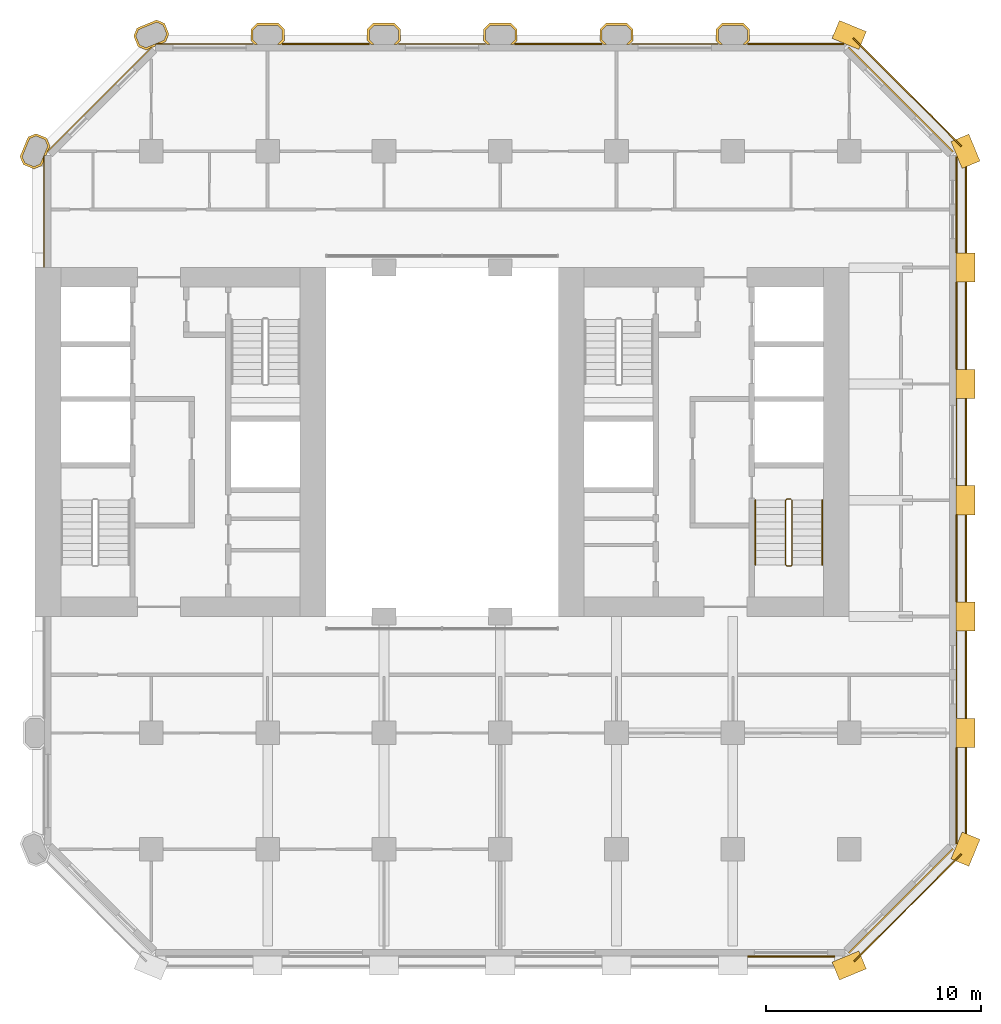
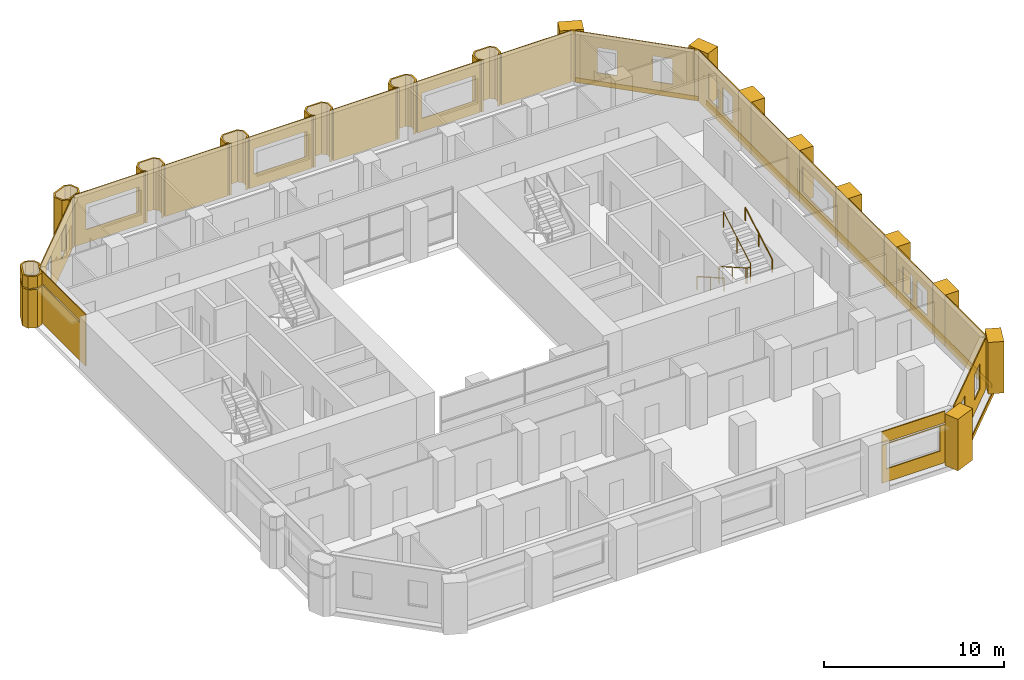
# One storey, part 13 of 13: 38 coverings, 3 railings.
"""IFC4 building model written with IfcOpenShell, lengths in metres."""

from ifc_helpers import new_model, si_unit, direction, frame, frame_2d, origin, origin_2d, place, context, subcontext, project, spatial, polyline, rectangle, circle, outline, extrude, material, layer, layer_set, type_object, element, save


model = new_model("IFC4")

# Units and contexts
model_context = context("Model", 3, precision=1e-05, world=origin(), true_north=direction((0.0, 1.0)))
body_context = subcontext(model_context, "Body", "Model", "MODEL_VIEW")
ifc_project = project(units=[si_unit("LENGTHUNIT", "METRE"), si_unit("AREAUNIT", "SQUARE_METRE"), si_unit("VOLUMEUNIT", "CUBIC_METRE"), si_unit("PLANEANGLEUNIT", "RADIAN"), si_unit("MASSUNIT", "GRAM", prefix="KILO")], contexts=[model_context])

# Site, building, storey
site_placement = place(None, origin())
site = spatial("IfcSite", under=ifc_project, at=site_placement, CompositionType="ELEMENT")
building_placement = place(site_placement, origin())
building = spatial("IfcBuilding", under=site, at=building_placement, Name="Tabaq Tower and Sports Hall", CompositionType="ELEMENT")
storey_placement = place(building_placement, frame((0.0, 0.0, 45.0)))
storey = spatial("IfcBuildingStorey", under=building, at=storey_placement, Name="L09", CompositionType="ELEMENT", Elevation=45.0)

# Coverings
ifc_material_1 = material(Name="Precast concrete C60/75", Category="concrete")
ifc_layer_1 = layer(ifc_material_1, 0.10009765625)
ifc_layer_set_1 = layer_set([ifc_layer_1], Name="Column cladding 100")
covering_type_1 = type_object("IfcCoveringType", Name="Column cladding 100", PredefinedType="CLADDING", material=ifc_layer_set_1)
covering_1_placement = place(storey_placement, origin())
element("IfcCovering", 1, at=covering_1_placement, inside=storey, type_object=covering_type_1, Name="Column cladding L09 PC-2H-O1", PredefinedType="CLADDING", context=body_context, shape_type="SweptSolid", body=[
    extrude(outline(polyline([(4.857421875, 37.186279296875), (4.7041015625, 37.556396484375), (5.080078125, 38.46435546875), (5.450439453125, 38.61767578125), (5.9423828125, 38.413818359375), (6.095947265625, 38.04345703125), (6.026123046875, 37.875), (5.9501953125, 37.799072265625), (5.9814453125, 37.767578125), (5.91796875, 37.614013671875), (5.849609375, 37.614013671875), (5.849609375, 37.55712890625), (5.789794921875, 37.55712890625), (5.789794921875, 37.304443359375), (5.7197265625, 37.1357421875), (5.349609375, 36.982421875), (4.857421875, 37.186279296875)]), holes=[polyline([(5.866455078125, 38.337646484375), (5.450439453125, 38.510009765625), (5.15625, 38.38818359375), (4.811767578125, 37.556396484375), (4.93359375, 37.26220703125), (5.349609375, 37.08984375), (5.643798828125, 37.2119140625), (5.98828125, 38.04345703125), (5.866455078125, 38.337646484375)])]), origin(), (0.0, 0.0, 1.0), 2.60009765625),
])
covering_2_placement = place(storey_placement, frame((0.0, 0.0, 2.699951171875)))
element("IfcCovering", 2, at=covering_2_placement, inside=storey, type_object=covering_type_1, Name="Column cladding L09 PC-2H-O1 2", PredefinedType="CLADDING", context=body_context, shape_type="SweptSolid", body=[
    extrude(outline(polyline([(4.857421875, 37.186279296875), (4.7041015625, 37.556396484375), (5.080078125, 38.46435546875), (5.450439453125, 38.61767578125), (5.9423828125, 38.413818359375), (6.095947265625, 38.04345703125), (6.026123046875, 37.875), (5.9501953125, 37.799072265625), (5.9814453125, 37.767578125), (5.91796875, 37.614013671875), (5.849609375, 37.614013671875), (5.849609375, 37.55712890625), (5.789794921875, 37.55712890625), (5.789794921875, 37.304443359375), (5.7197265625, 37.1357421875), (5.349609375, 36.982421875), (4.857421875, 37.186279296875)]), holes=[polyline([(5.866455078125, 38.337646484375), (5.450439453125, 38.510009765625), (5.15625, 38.38818359375), (4.811767578125, 37.556396484375), (4.93359375, 37.26220703125), (5.349609375, 37.08984375), (5.643798828125, 37.2119140625), (5.98828125, 38.04345703125), (5.866455078125, 38.337646484375)])]), origin(), (0.0, 0.0, 1.0), 0.800048828125),
])
covering_3_placement = place(storey_placement, origin())
element("IfcCovering", 3, at=covering_3_placement, inside=storey, type_object=covering_type_1, Name="Column cladding L09 PC-3I-O1", PredefinedType="CLADDING", context=body_context, shape_type="SweptSolid", body=[
    extrude(outline(polyline([(9.982421875, 43.149658203125), (10.1357421875, 43.519775390625), (11.04345703125, 43.895751953125), (11.413818359375, 43.742431640625), (11.61767578125, 43.25048828125), (11.46435546875, 42.880126953125), (11.295654296875, 42.810302734375), (11.04296875, 42.810302734375), (11.04296875, 42.750244140625), (10.986083984375, 42.750244140625), (10.986083984375, 42.68212890625), (10.83251953125, 42.618408203125), (10.801025390625, 42.64990234375), (10.72509765625, 42.573974609375), (10.556396484375, 42.504150390625), (10.186279296875, 42.657470703125), (9.982421875, 43.149658203125)]), holes=[polyline([(11.510009765625, 43.25048828125), (11.337646484375, 43.66650390625), (11.04345703125, 43.788330078125), (10.2119140625, 43.44384765625), (10.08984375, 43.149658203125), (10.26220703125, 42.733642578125), (10.556396484375, 42.61181640625), (11.38818359375, 42.956298828125), (11.510009765625, 43.25048828125)])]), origin(), (0.0, 0.0, 1.0), 3.5),
])
covering_4_placement = place(storey_placement, origin())
element("IfcCovering", 4, at=covering_4_placement, inside=storey, type_object=covering_type_1, Name="Column cladding L09 PC-4I-O1", PredefinedType="CLADDING", context=body_context, shape_type="SweptSolid", body=[
    extrude(outline(polyline([(15.42529296875, 43.46630859375), (15.708740234375, 43.749755859375), (16.69140625, 43.749755859375), (16.974609375, 43.46630859375), (16.974609375, 42.93359375), (16.791259765625, 42.750244140625), (16.650634765625, 42.750244140625), (16.875244140625, 42.974853515625), (16.875244140625, 43.425048828125), (16.650146484375, 43.650390625), (15.749755859375, 43.650390625), (15.524658203125, 43.425048828125), (15.524658203125, 42.974853515625), (15.749267578125, 42.750244140625), (15.608642578125, 42.750244140625), (15.42529296875, 42.93359375), (15.42529296875, 43.46630859375)])), origin(), (0.0, 0.0, 1.0), 3.5),
])
covering_5_placement = place(storey_placement, origin())
element("IfcCovering", 5, at=covering_5_placement, inside=storey, type_object=covering_type_1, Name="Column cladding L09 PC-5I-O1", PredefinedType="CLADDING", context=body_context, shape_type="SweptSolid", body=[
    extrude(outline(polyline([(20.8251953125, 43.46630859375), (21.108642578125, 43.749755859375), (22.09130859375, 43.749755859375), (22.374755859375, 43.46630859375), (22.374755859375, 42.93359375), (22.19140625, 42.750244140625), (22.05078125, 42.750244140625), (22.275390625, 42.974853515625), (22.275390625, 43.425048828125), (22.050048828125, 43.650390625), (21.14990234375, 43.650390625), (20.9248046875, 43.425048828125), (20.9248046875, 42.974853515625), (21.149169921875, 42.750244140625), (21.0087890625, 42.750244140625), (20.8251953125, 42.93359375), (20.8251953125, 43.46630859375)])), origin(), (0.0, 0.0, 1.0), 3.5),
])
covering_6_placement = place(storey_placement, origin())
element("IfcCovering", 6, at=covering_6_placement, inside=storey, type_object=covering_type_1, Name="Column cladding L09 PC-6I-O1", PredefinedType="CLADDING", context=body_context, shape_type="SweptSolid", body=[
    extrude(outline(polyline([(26.225341796875, 43.46630859375), (26.5087890625, 43.749755859375), (27.4912109375, 43.749755859375), (27.774658203125, 43.46630859375), (27.774658203125, 42.93359375), (27.59130859375, 42.750244140625), (27.45068359375, 42.750244140625), (27.67529296875, 42.974853515625), (27.67529296875, 43.425048828125), (27.4501953125, 43.650390625), (26.5498046875, 43.650390625), (26.32470703125, 43.425048828125), (26.32470703125, 42.974853515625), (26.54931640625, 42.750244140625), (26.40869140625, 42.750244140625), (26.225341796875, 42.93359375), (26.225341796875, 43.46630859375)])), origin(), (0.0, 0.0, 1.0), 3.5),
])
covering_7_placement = place(storey_placement, origin())
element("IfcCovering", 7, at=covering_7_placement, inside=storey, type_object=covering_type_1, Name="Column cladding L09 PC-7I-O1", PredefinedType="CLADDING", context=body_context, shape_type="SweptSolid", body=[
    extrude(outline(polyline([(31.625244140625, 43.46630859375), (31.90869140625, 43.749755859375), (32.891357421875, 43.749755859375), (33.1748046875, 43.46630859375), (33.1748046875, 42.93359375), (32.9912109375, 42.750244140625), (32.850830078125, 42.750244140625), (33.0751953125, 42.974853515625), (33.0751953125, 43.425048828125), (32.85009765625, 43.650390625), (31.949951171875, 43.650390625), (31.724609375, 43.425048828125), (31.724609375, 42.974853515625), (31.94921875, 42.750244140625), (31.80859375, 42.750244140625), (31.625244140625, 42.93359375), (31.625244140625, 43.46630859375)])), origin(), (0.0, 0.0, 1.0), 3.5),
])
covering_8_placement = place(storey_placement, origin())
element("IfcCovering", 8, at=covering_8_placement, inside=storey, type_object=covering_type_1, Name="Column cladding L09 PC-8I-O1", PredefinedType="CLADDING", context=body_context, shape_type="SweptSolid", body=[
    extrude(outline(polyline([(37.025390625, 43.46630859375), (37.30859375, 43.749755859375), (38.291259765625, 43.749755859375), (38.57470703125, 43.46630859375), (38.57470703125, 42.93359375), (38.391357421875, 42.750244140625), (38.250732421875, 42.750244140625), (38.475341796875, 42.974853515625), (38.475341796875, 43.425048828125), (38.250244140625, 43.650390625), (37.349853515625, 43.650390625), (37.124755859375, 43.425048828125), (37.124755859375, 42.974853515625), (37.349365234375, 42.750244140625), (37.208740234375, 42.750244140625), (37.025390625, 42.93359375), (37.025390625, 43.46630859375)])), origin(), (0.0, 0.0, 1.0), 3.5),
])
ifc_material_2 = material(Name="Precast concrete C60/75", Category="concrete")
ifc_layer_2 = layer(ifc_material_2, 0.06005859375)
ifc_layer_set_2 = layer_set([ifc_layer_2], Name="Edge beam cladding 60")
covering_type_2 = type_object("IfcCoveringType", Name="Edge beam cladding 60", PredefinedType="CLADDING", material=ifc_layer_set_2)
covering_9_placement = place(storey_placement, frame((43.432373046875, 0.18994140625, -0.300048828125), z_axis=(0.0, 0.0, 1.0), x_axis=(0.707106781187, 0.707106781187, 0.0)))
element("IfcCovering", 9, at=covering_9_placement, inside=storey, type_object=covering_type_2, Name="Edge beam cladding L09 2", PredefinedType="CLADDING", context=body_context, shape_type="SweptSolid", body=[
    extrude(rectangle(XDim=7.03955078125, YDim=0.06005859375, at=frame_2d((3.519775390625, 0.0))), origin(), (0.0, 0.0, 1.0), 0.300048828125),
])
covering_10_placement = place(storey_placement, frame((48.6298828125, 5.698486328125, -0.300048828125), z_axis=(0.0, 0.0, 1.0), x_axis=(0.0, 1.0, 0.0)))
element("IfcCovering", 10, at=covering_10_placement, inside=storey, type_object=covering_type_2, Name="Edge beam cladding L09 3", PredefinedType="CLADDING", context=body_context, shape_type="SweptSolid", body=[
    extrude(rectangle(XDim=31.802978515625, YDim=0.06005859375, at=frame_2d((15.9013671875, 0.0))), origin(), (0.0, 0.0, 1.0), 0.300048828125),
])
covering_11_placement = place(storey_placement, frame((48.41015625, 38.0322265625, -0.300048828125), z_axis=(0.0, 0.0, 1.0), x_axis=(-0.707106781187, 0.707106781187, 0.0)))
element("IfcCovering", 11, at=covering_11_placement, inside=storey, type_object=covering_type_2, Name="Edge beam cladding L09 4", PredefinedType="CLADDING", context=body_context, shape_type="SweptSolid", body=[
    extrude(rectangle(XDim=7.08837890625, YDim=0.06005859375, at=frame_2d((3.544189453125, 0.0))), origin(), (0.0, 0.0, 1.0), 0.300048828125),
])
ifc_material_3 = material(Name="White precast concrete C60/75", Category="concrete")
covering_type_3 = type_object("IfcCoveringType", Name="Pier cladding hung 1350x900", PredefinedType="CLADDING", material=ifc_material_3)
for number, where, z_axis, x_axis, name in (
    (12, (42.576416015625, -0.25830078125, 0.0), (0.0, 0.0, 1.0), (0.923893411637, 0.382649923473, 0.0), "Hung pier cladding 8/0"),
    (13, (43.82373046875, 42.941650390625, 0.0), (0.0, 0.0, 1.0), (-0.923893411637, 0.382649923473, 0.0), "Hung pier cladding 8/8"),
    (14, (48.341796875, 4.7763671875, 0.0), (0.0, 0.0, 1.0), (0.382649923473, 0.923893411637, 0.0), "Hung pier cladding 9/1"),
    (15, (48.60009765625, 10.125, 0.0), (0.0, 0.0, 1.0), (0.0, 1.0, 0.0), "Hung pier cladding 9/2"),
    (16, (48.60009765625, 15.52490234375, 0.0), (0.0, 0.0, 1.0), (0.0, 1.0, 0.0), "Hung pier cladding 9/3"),
):
    element("IfcCovering", number, at=place(storey_placement, frame(where, z_axis=z_axis, x_axis=x_axis)), inside=storey, type_object=covering_type_3, Name=name, PredefinedType="CLADDING", context=body_context, shape_type="SweptSolid", body=[
        extrude(rectangle(XDim=1.35009765625, YDim=0.89990234375, at=frame_2d((0.675048828125, 0.0))), origin(), (0.0, 0.0, 1.0), 3.5),
    ])
covering_12_placement = place(storey_placement, frame((48.60009765625, 20.925048828125, 0.0), z_axis=(0.0, 0.0, 1.0), x_axis=(0.0, 1.0, 0.0)))
element("IfcCovering", 17, at=covering_12_placement, inside=storey, type_object=covering_type_3, Name="Hung pier cladding 9/4", PredefinedType="CLADDING", context=body_context, shape_type="SweptSolid", body=[
    extrude(rectangle(XDim=1.349853515625, YDim=0.89990234375, at=frame_2d((0.6748046875, 0.0))), origin(), (0.0, 0.0, 1.0), 3.5),
])
covering_13_placement = place(storey_placement, frame((48.60009765625, 26.324951171875, 0.0), z_axis=(0.0, 0.0, 1.0), x_axis=(0.0, 1.0, 0.0)))
element("IfcCovering", 18, at=covering_13_placement, inside=storey, type_object=covering_type_3, Name="Hung pier cladding 9/5", PredefinedType="CLADDING", context=body_context, shape_type="SweptSolid", body=[
    extrude(rectangle(XDim=1.35009765625, YDim=0.89990234375, at=frame_2d((0.675048828125, 0.0))), origin(), (0.0, 0.0, 1.0), 3.5),
])
covering_14_placement = place(storey_placement, frame((48.60009765625, 31.72509765625, 0.0), z_axis=(0.0, 0.0, 1.0), x_axis=(0.0, 1.0, 0.0)))
element("IfcCovering", 19, at=covering_14_placement, inside=storey, type_object=covering_type_3, Name="Hung pier cladding 9/6", PredefinedType="CLADDING", context=body_context, shape_type="SweptSolid", body=[
    extrude(rectangle(XDim=1.349853515625, YDim=0.89990234375, at=frame_2d((0.6748046875, 0.0))), origin(), (0.0, 0.0, 1.0), 3.5),
])
covering_15_placement = place(storey_placement, frame((48.8583984375, 37.17626953125, 0.0), z_axis=(0.0, 0.0, 1.0), x_axis=(-0.382649923473, 0.923893411637, 0.0)))
element("IfcCovering", 20, at=covering_15_placement, inside=storey, type_object=covering_type_3, Name="Hung pier cladding 9/7", PredefinedType="CLADDING", context=body_context, shape_type="SweptSolid", body=[
    extrude(rectangle(XDim=1.35009765625, YDim=0.89990234375, at=frame_2d((0.675048828125, 0.0))), origin(), (0.0, 0.0, 1.0), 3.5),
])

# Railings
ifc_material_4 = material(Name="Stainless steel", Category="steel")
railing_type_1 = type_object("IfcRailingType", Name="Stair guard", PredefinedType="GUARDRAIL", material=ifc_material_4)
railing_1_placement = place(storey_placement, frame((40.5, 21.64990234375, 0.0)))
element("IfcRailing", 21, at=railing_1_placement, inside=storey, type_object=railing_type_1, Name="L09 ST3 stair guard 1", PredefinedType="GUARDRAIL", context=body_context, shape_type="SweptSolid", body=[
    extrude(circle(Radius=0.02392578125, at=origin_2d()), frame((0.0, 0.0, 1.076171875), z_axis=(-1.0, 0.0, 0.0), x_axis=(0.0, -1.0, 0.0)), (0.0, 0.0, 1.0), 0.199951171875),
    extrude(circle(Radius=0.02392578125, at=origin_2d()), frame((-0.199951171875, 0.0, 1.076171875), z_axis=(-0.246983470365, -0.245778672949, 0.937332389972), x_axis=(0.705375805398, -0.708833529934, 0.0)), (0.0, 0.0, 1.0), 0.20263671875),
    extrude(circle(Radius=0.02392578125, at=origin_2d()), frame((-0.25, -0.0498046875, 1.26611328125), z_axis=(0.0, -0.868782136927, 0.495194505781), x_axis=(1.0, 0.0, 0.0)), (0.0, 0.0, 1.0), 3.453125),
    extrude(circle(Radius=0.02392578125, at=origin_2d()), frame((-0.25, -3.0498046875, 2.97607421875), z_axis=(0.707106781187, -0.707106781187, 0.0), x_axis=(0.707106781187, 0.707106781187, 0.0)), (0.0, 0.0, 1.0), 0.07080078125),
    extrude(circle(Radius=0.02392578125, at=origin_2d()), frame((-0.199951171875, -3.099853515625, 2.97607421875), z_axis=(1.0, 0.0, 0.0), x_axis=(0.0, 1.0, 0.0)), (0.0, 0.0, 1.0), 0.199951171875),
    extrude(circle(Radius=0.02392578125, at=origin_2d()), frame((0.0, -3.099853515625, 2.97607421875), z_axis=(0.246631811833, 0.246631811833, 0.937200884967), x_axis=(-0.707106781187, 0.707106781187, 0.0)), (0.0, 0.0, 1.0), 0.202880859375),
    extrude(circle(Radius=0.02392578125, at=origin_2d()), frame((0.050048828125, -3.0498046875, 3.166015625), z_axis=(0.0, 0.868782136927, 0.495194505781), x_axis=(-1.0, 0.0, 0.0)), (0.0, 0.0, 1.0), 3.453125),
    extrude(circle(Radius=0.02099609375, at=origin_2d()), origin(), (0.0, 0.0, 1.0), 1.052001953125),
    extrude(circle(Radius=0.02099609375, at=origin_2d()), frame((-0.199951171875, 0.0, 0.0)), (0.0, 0.0, 1.0), 1.052001953125),
    extrude(circle(Radius=0.02099609375, at=origin_2d()), frame((-0.25, -0.0498046875, 0.18994140625)), (0.0, 0.0, 1.0), 1.052001953125),
    extrude(circle(Radius=0.02099609375, at=origin_2d()), frame((-0.25, -1.5498046875, 1.044921875)), (0.0, 0.0, 1.0), 1.052001953125),
    extrude(circle(Radius=0.02099609375, at=origin_2d()), frame((-0.25, -3.0498046875, 1.89990234375)), (0.0, 0.0, 1.0), 1.052001953125),
    extrude(circle(Radius=0.02099609375, at=origin_2d()), frame((-0.199951171875, -3.099853515625, 1.89990234375)), (0.0, 0.0, 1.0), 1.052001953125),
    extrude(circle(Radius=0.02099609375, at=origin_2d()), frame((0.0, -3.099853515625, 1.89990234375)), (0.0, 0.0, 1.0), 1.052001953125),
    extrude(circle(Radius=0.02099609375, at=origin_2d()), frame((0.050048828125, -3.0498046875, 2.090087890625)), (0.0, 0.0, 1.0), 1.052001953125),
    extrude(circle(Radius=0.02099609375, at=origin_2d()), frame((0.050048828125, -1.5498046875, 2.945068359375)), (0.0, 0.0, 1.0), 1.052001953125),
    extrude(circle(Radius=0.02099609375, at=origin_2d()), frame((0.050048828125, -0.0498046875, 3.800048828125)), (0.0, 0.0, 1.0), 1.052001953125),
])
ifc_material_5 = material(Name="Stainless steel", Category="steel")
railing_type_2 = type_object("IfcRailingType", Name="Stair handrail", PredefinedType="HANDRAIL", material=ifc_material_5)
railing_2_placement = place(storey_placement, frame((38.85009765625, 21.60009765625, 0.18994140625)))
element("IfcRailing", 22, at=railing_2_placement, inside=storey, type_object=railing_type_2, Name="L09 ST3 stair handrail 1", PredefinedType="HANDRAIL", context=body_context, shape_type="SweptSolid", body=[
    extrude(circle(Radius=0.02392578125, at=origin_2d()), frame((0.0, 0.0, 0.8759765625), z_axis=(0.0, -0.868782136927, 0.495194505781), x_axis=(1.0, 0.0, 0.0)), (0.0, 0.0, 1.0), 3.453125),
    extrude(circle(Radius=0.02099609375, at=origin_2d()), origin(), (0.0, 0.0, 1.0), 0.851806640625),
    extrude(circle(Radius=0.02099609375, at=origin_2d()), frame((0.0, -1.5, 0.85498046875)), (0.0, 0.0, 1.0), 0.851806640625),
    extrude(circle(Radius=0.02099609375, at=origin_2d()), frame((0.0, -3.0, 1.7099609375)), (0.0, 0.0, 1.0), 0.851806640625),
])
railing_3_placement = place(storey_placement, frame((41.949951171875, 18.60009765625, 2.090087890625)))
element("IfcRailing", 23, at=railing_3_placement, inside=storey, type_object=railing_type_2, Name="L09 ST3 stair handrail 2", PredefinedType="HANDRAIL", context=body_context, shape_type="SweptSolid", body=[
    extrude(circle(Radius=0.02392578125, at=origin_2d()), frame((0.0, 0.0, 0.8759765625), z_axis=(0.0, 0.868782136927, 0.495194505781), x_axis=(-1.0, 0.0, 0.0)), (0.0, 0.0, 1.0), 3.453125),
    extrude(circle(Radius=0.02099609375, at=origin_2d()), origin(), (0.0, 0.0, 1.0), 0.851806640625),
    extrude(circle(Radius=0.02099609375, at=origin_2d()), frame((0.0, 1.5, 0.85498046875)), (0.0, 0.0, 1.0), 0.851806640625),
    extrude(circle(Radius=0.02099609375, at=origin_2d()), frame((0.0, 3.0, 1.7099609375)), (0.0, 0.0, 1.0), 0.851806640625),
])

# Coverings
ifc_material_6 = material(Name="Precast concrete C60/75", Category="concrete")
ifc_layer_3 = layer(ifc_material_6, 0.06005859375)
ifc_layer_set_3 = layer_set([ifc_layer_3], Name="White precast cladding panel 60 C60/75")
covering_type_4 = type_object("IfcCoveringType", Name="White precast cladding panel 60 C60/75", PredefinedType="CLADDING", material=ifc_layer_set_3)
covering_16_placement = place(storey_placement, frame((38.485107421875, 0.419921875, 0.0), z_axis=(0.0, 0.0, 1.0), x_axis=(1.0, 0.0, 0.0)))
element("IfcCovering", 24, at=covering_16_placement, inside=storey, type_object=covering_type_4, Name="White precast cladding panel L09 wall00 11", PredefinedType="CLADDING", context=body_context, shape_type="SweptSolid", body=[
    extrude(outline(polyline([(0.0, 0.0), (4.0498046875, 0.0), (4.0498046875, 2.590087890625), (0.0, 2.590087890625), (0.0, 0.0)]), holes=[polyline([(3.72509765625, 0.889892578125), (0.304931640625, 0.889892578125), (0.304931640625, 2.56005859375), (3.72509765625, 2.56005859375), (3.72509765625, 0.889892578125)])]), frame((0.0, 0.030029296875, 0.0), z_axis=(0.0, -1.0, 0.0), x_axis=(1.0, 0.0, 0.0)), (0.0, 0.0, 1.0), 0.06005859375),
])
covering_17_placement = place(storey_placement, frame((38.485107421875, 0.419921875, 2.7099609375), z_axis=(0.0, 0.0, 1.0), x_axis=(1.0, 0.0, 0.0)))
element("IfcCovering", 25, at=covering_17_placement, inside=storey, type_object=covering_type_4, Name="White precast cladding panel L09 wall00 12", PredefinedType="CLADDING", context=body_context, shape_type="SweptSolid", body=[
    extrude(rectangle(XDim=4.0498046875, YDim=0.06005859375, at=frame_2d((2.02490234375, 0.0))), origin(), (0.0, 0.0, 1.0), 0.7900390625),
])
covering_18_placement = place(storey_placement, frame((43.177734375, 0.57177734375, 0.0), z_axis=(0.0, 0.0, 1.0), x_axis=(0.707106781187, 0.707106781187, 0.0)))
element("IfcCovering", 26, at=covering_18_placement, inside=storey, type_object=covering_type_4, Name="White precast cladding panel L09 wall01", PredefinedType="CLADDING", context=body_context, shape_type="SweptSolid", body=[
    extrude(outline(polyline([(0.0, 0.0), (6.85986328125, 0.0), (6.85986328125, 3.5), (0.0, 3.5), (0.0, 0.0)]), holes=[polyline([(1.269775390625, 2.610107421875), (2.389892578125, 2.610107421875), (2.389892578125, 0.889892578125), (1.269775390625, 0.889892578125), (1.269775390625, 2.610107421875)]), polyline([(4.4697265625, 2.610107421875), (5.58984375, 2.610107421875), (5.58984375, 0.889892578125), (4.4697265625, 0.889892578125), (4.4697265625, 2.610107421875)])]), frame((0.0, 0.030029296875, 0.0), z_axis=(0.0, -1.0, 0.0), x_axis=(1.0, 0.0, 0.0)), (0.0, 0.0, 1.0), 0.06005859375),
])
covering_19_placement = place(storey_placement, frame((48.179931640625, 5.64306640625, 0.0), z_axis=(0.0, 0.0, 1.0), x_axis=(0.0, 1.0, 0.0)))
element("IfcCovering", 27, at=covering_19_placement, inside=storey, type_object=covering_type_4, Name="White precast cladding panel L09 wall02", PredefinedType="CLADDING", context=body_context, shape_type="SweptSolid", body=[
    extrude(rectangle(XDim=4.471923828125, YDim=0.06005859375, at=frame_2d((2.23583984375, 0.0))), origin(), (0.0, 0.0, 1.0), 3.5),
])
covering_20_placement = place(storey_placement, frame((48.179931640625, 11.485107421875, 0.0), z_axis=(0.0, 0.0, 1.0), x_axis=(0.0, 1.0, 0.0)))
element("IfcCovering", 28, at=covering_20_placement, inside=storey, type_object=covering_type_4, Name="White precast cladding panel L09 wall02 2", PredefinedType="CLADDING", context=body_context, shape_type="SweptSolid", body=[
    extrude(outline(polyline([(0.0, 0.0), (4.02978515625, 0.0), (4.02978515625, 3.5), (0.0, 3.5), (0.0, 0.0)]), holes=[polyline([(0.655029296875, 2.610107421875), (1.77490234375, 2.610107421875), (1.77490234375, 0.889892578125), (0.655029296875, 0.889892578125), (0.655029296875, 2.610107421875)]), polyline([(2.2548828125, 2.610107421875), (3.375, 2.610107421875), (3.375, 0.889892578125), (2.2548828125, 0.889892578125), (2.2548828125, 2.610107421875)])]), frame((0.0, 0.030029296875, 0.0), z_axis=(0.0, -1.0, 0.0), x_axis=(1.0, 0.0, 0.0)), (0.0, 0.0, 1.0), 0.06005859375),
])
covering_21_placement = place(storey_placement, frame((48.179931640625, 16.885009765625, 0.0), z_axis=(0.0, 0.0, 1.0), x_axis=(0.0, 1.0, 0.0)))
element("IfcCovering", 29, at=covering_21_placement, inside=storey, type_object=covering_type_4, Name="White precast cladding panel L09 wall02 3", PredefinedType="CLADDING", context=body_context, shape_type="SweptSolid", body=[
    extrude(rectangle(XDim=4.030029296875, YDim=0.06005859375, at=frame_2d((2.01513671875, 0.0))), origin(), (0.0, 0.0, 1.0), 3.5),
])
covering_22_placement = place(storey_placement, frame((48.179931640625, 22.284912109375, 0.0), z_axis=(0.0, 0.0, 1.0), x_axis=(0.0, 1.0, 0.0)))
element("IfcCovering", 30, at=covering_22_placement, inside=storey, type_object=covering_type_4, Name="White precast cladding panel L09 wall02 4", PredefinedType="CLADDING", context=body_context, shape_type="SweptSolid", body=[
    extrude(outline(polyline([(0.0, 0.0), (4.030029296875, 0.0), (4.030029296875, 3.5), (0.0, 3.5), (0.0, 0.0)]), holes=[polyline([(0.304931640625, 0.889892578125), (0.304931640625, 2.610107421875), (3.72509765625, 2.610107421875), (3.72509765625, 0.889892578125), (0.304931640625, 0.889892578125)])]), frame((0.0, 0.030029296875, 0.0), z_axis=(0.0, -1.0, 0.0), x_axis=(1.0, 0.0, 0.0)), (0.0, 0.0, 1.0), 0.06005859375),
])
covering_23_placement = place(storey_placement, frame((48.179931640625, 27.68505859375, 0.0), z_axis=(0.0, 0.0, 1.0), x_axis=(0.0, 1.0, 0.0)))
element("IfcCovering", 31, at=covering_23_placement, inside=storey, type_object=covering_type_4, Name="White precast cladding panel L09 wall02 5", PredefinedType="CLADDING", context=body_context, shape_type="SweptSolid", body=[
    extrude(rectangle(XDim=4.030029296875, YDim=0.06005859375, at=frame_2d((2.01513671875, 0.0))), origin(), (0.0, 0.0, 1.0), 3.5),
])
covering_24_placement = place(storey_placement, frame((48.179931640625, 33.0849609375, 0.0), z_axis=(0.0, 0.0, 1.0), x_axis=(0.0, 1.0, 0.0)))
element("IfcCovering", 32, at=covering_24_placement, inside=storey, type_object=covering_type_4, Name="White precast cladding panel L09 wall02 6", PredefinedType="CLADDING", context=body_context, shape_type="SweptSolid", body=[
    extrude(outline(polyline([(0.0, 0.0), (4.471923828125, 0.0), (4.471923828125, 3.5), (0.0, 3.5), (0.0, 0.0)]), holes=[polyline([(0.655029296875, 2.610107421875), (1.77490234375, 2.610107421875), (1.77490234375, 0.889892578125), (0.655029296875, 0.889892578125), (0.655029296875, 2.610107421875)]), polyline([(2.2548828125, 2.610107421875), (3.375, 2.610107421875), (3.375, 0.889892578125), (2.2548828125, 0.889892578125), (2.2548828125, 2.610107421875)])]), frame((0.0, 0.030029296875, 0.0), z_axis=(0.0, -1.0, 0.0), x_axis=(1.0, 0.0, 0.0)), (0.0, 0.0, 1.0), 0.06005859375),
])
covering_25_placement = place(storey_placement, frame((48.0283203125, 37.77783203125, 0.0), z_axis=(0.0, 0.0, 1.0), x_axis=(-0.707124576528, 0.707088985397, 0.0)))
element("IfcCovering", 33, at=covering_25_placement, inside=storey, type_object=covering_type_4, Name="White precast cladding panel L09 wall03", PredefinedType="CLADDING", context=body_context, shape_type="SweptSolid", body=[
    extrude(outline(polyline([(0.0, 0.0), (6.859619140625, 0.0), (6.859619140625, 3.5), (0.0, 3.5), (0.0, 0.0)]), holes=[polyline([(1.269775390625, 2.610107421875), (2.389892578125, 2.610107421875), (2.389892578125, 0.889892578125), (1.269775390625, 0.889892578125), (1.269775390625, 2.610107421875)]), polyline([(4.4697265625, 2.610107421875), (5.58984375, 2.610107421875), (5.58984375, 0.889892578125), (4.4697265625, 0.889892578125), (4.4697265625, 2.610107421875)])]), frame((0.0, 0.030029296875, 0.0), z_axis=(0.0, -1.0, 0.0), x_axis=(1.0, 0.0, 0.0)), (0.0, 0.0, 1.0), 0.06005859375),
])
covering_26_placement = place(storey_placement, frame((42.956787109375, 42.780029296875, 0.0), z_axis=(0.0, 0.0, 1.0), x_axis=(-1.0, 0.0, 0.0)))
element("IfcCovering", 34, at=covering_26_placement, inside=storey, type_object=covering_type_4, Name="White precast cladding panel L09 wall04", PredefinedType="CLADDING", context=body_context, shape_type="SweptSolid", body=[
    extrude(rectangle(XDim=4.4716796875, YDim=0.06005859375, at=frame_2d((2.23583984375, 0.0))), origin(), (0.0, 0.0, 1.0), 3.5),
])
covering_27_placement = place(storey_placement, frame((37.114990234375, 42.780029296875, 0.0), z_axis=(0.0, 0.0, 1.0), x_axis=(-1.0, 0.0, 0.0)))
element("IfcCovering", 35, at=covering_27_placement, inside=storey, type_object=covering_type_4, Name="White precast cladding panel L09 wall04 2", PredefinedType="CLADDING", context=body_context, shape_type="SweptSolid", body=[
    extrude(outline(polyline([(0.0, 0.0), (4.030029296875, 0.0), (4.030029296875, 3.5), (0.0, 3.5), (0.0, 0.0)]), holes=[polyline([(0.304931640625, 0.889892578125), (0.304931640625, 2.610107421875), (3.72509765625, 2.610107421875), (3.72509765625, 0.889892578125), (0.304931640625, 0.889892578125)])]), frame((0.0, 0.030029296875, 0.0), z_axis=(0.0, -1.0, 0.0), x_axis=(1.0, 0.0, 0.0)), (0.0, 0.0, 1.0), 0.06005859375),
])
covering_28_placement = place(storey_placement, frame((31.715087890625, 42.780029296875, 0.0), z_axis=(0.0, 0.0, 1.0), x_axis=(-1.0, 0.0, 0.0)))
element("IfcCovering", 36, at=covering_28_placement, inside=storey, type_object=covering_type_4, Name="White precast cladding panel L09 wall04 3", PredefinedType="CLADDING", context=body_context, shape_type="SweptSolid", body=[
    extrude(rectangle(XDim=4.030029296875, YDim=0.06005859375, at=frame_2d((2.01513671875, 0.0))), origin(), (0.0, 0.0, 1.0), 3.5),
])
covering_29_placement = place(storey_placement, frame((26.31494140625, 42.780029296875, 0.0), z_axis=(0.0, 0.0, 1.0), x_axis=(-1.0, 0.0, 0.0)))
element("IfcCovering", 37, at=covering_29_placement, inside=storey, type_object=covering_type_4, Name="White precast cladding panel L09 wall04 4", PredefinedType="CLADDING", context=body_context, shape_type="SweptSolid", body=[
    extrude(outline(polyline([(0.0, 0.0), (4.030029296875, 0.0), (4.030029296875, 3.5), (0.0, 3.5), (0.0, 0.0)]), holes=[polyline([(0.304931640625, 0.889892578125), (0.304931640625, 2.610107421875), (3.72509765625, 2.610107421875), (3.72509765625, 0.889892578125), (0.304931640625, 0.889892578125)])]), frame((0.0, 0.030029296875, 0.0), z_axis=(0.0, -1.0, 0.0), x_axis=(1.0, 0.0, 0.0)), (0.0, 0.0, 1.0), 0.06005859375),
])
covering_30_placement = place(storey_placement, frame((20.9150390625, 42.780029296875, 0.0), z_axis=(0.0, 0.0, 1.0), x_axis=(-1.0, 0.0, 0.0)))
element("IfcCovering", 38, at=covering_30_placement, inside=storey, type_object=covering_type_4, Name="White precast cladding panel L09 wall04 5", PredefinedType="CLADDING", context=body_context, shape_type="SweptSolid", body=[
    extrude(rectangle(XDim=4.030029296875, YDim=0.06005859375, at=frame_2d((2.01513671875, 0.0))), origin(), (0.0, 0.0, 1.0), 3.5),
])
covering_31_placement = place(storey_placement, frame((15.514892578125, 42.780029296875, 0.0), z_axis=(0.0, 0.0, 1.0), x_axis=(-1.0, 0.0, 0.0)))
element("IfcCovering", 39, at=covering_31_placement, inside=storey, type_object=covering_type_4, Name="White precast cladding panel L09 wall04 6", PredefinedType="CLADDING", context=body_context, shape_type="SweptSolid", body=[
    extrude(outline(polyline([(0.0, 0.0), (4.4716796875, 0.0), (4.4716796875, 3.5), (0.0, 3.5), (0.0, 0.0)]), holes=[polyline([(0.304931640625, 0.889892578125), (0.304931640625, 2.610107421875), (3.72509765625, 2.610107421875), (3.72509765625, 0.889892578125), (0.304931640625, 0.889892578125)])]), frame((0.0, 0.030029296875, 0.0), z_axis=(0.0, -1.0, 0.0), x_axis=(1.0, 0.0, 0.0)), (0.0, 0.0, 1.0), 0.06005859375),
])
covering_32_placement = place(storey_placement, frame((10.822265625, 42.628173828125, 0.0), z_axis=(0.0, 0.0, 1.0), x_axis=(-0.707124576528, -0.707088985397, 0.0)))
element("IfcCovering", 40, at=covering_32_placement, inside=storey, type_object=covering_type_4, Name="White precast cladding panel L09 wall05", PredefinedType="CLADDING", context=body_context, shape_type="SweptSolid", body=[
    extrude(outline(polyline([(0.0, 0.0), (6.859619140625, 0.0), (6.859619140625, 3.5), (0.0, 3.5), (0.0, 0.0)]), holes=[polyline([(1.269775390625, 2.610107421875), (2.389892578125, 2.610107421875), (2.389892578125, 0.889892578125), (1.269775390625, 0.889892578125), (1.269775390625, 2.610107421875)]), polyline([(4.4697265625, 2.610107421875), (5.58984375, 2.610107421875), (5.58984375, 0.889892578125), (4.4697265625, 0.889892578125), (4.4697265625, 2.610107421875)])]), frame((0.0, 0.030029296875, 0.0), z_axis=(0.0, -1.0, 0.0), x_axis=(1.0, 0.0, 0.0)), (0.0, 0.0, 1.0), 0.06005859375),
])
covering_33_placement = place(storey_placement, frame((5.820068359375, 37.556884765625, 0.0), z_axis=(0.0, 0.0, 1.0), x_axis=(0.0, -1.0, 0.0)))
element("IfcCovering", 41, at=covering_33_placement, inside=storey, type_object=covering_type_4, Name="White precast cladding panel L09 wall06", PredefinedType="CLADDING", context=body_context, shape_type="SweptSolid", body=[
    extrude(outline(polyline([(0.0, 0.0), (5.156982421875, 0.0), (5.156982421875, 3.5), (0.0, 3.5), (0.0, 0.0)]), holes=[polyline([(0.421875, 2.590087890625), (0.421875, 2.7099609375), (4.491943359375, 2.7099609375), (4.491943359375, 2.590087890625), (0.421875, 2.590087890625)])]), frame((0.0, 0.030029296875, 0.0), z_axis=(0.0, -1.0, 0.0), x_axis=(1.0, 0.0, 0.0)), (0.0, 0.0, 1.0), 0.06005859375),
])

save(model, "model.ifc")
